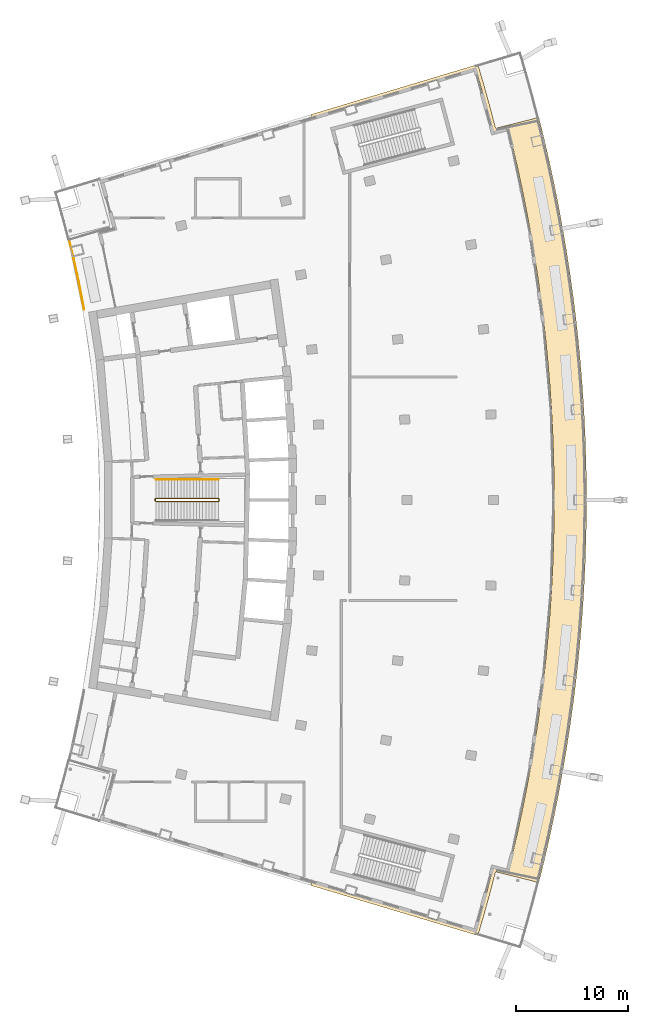
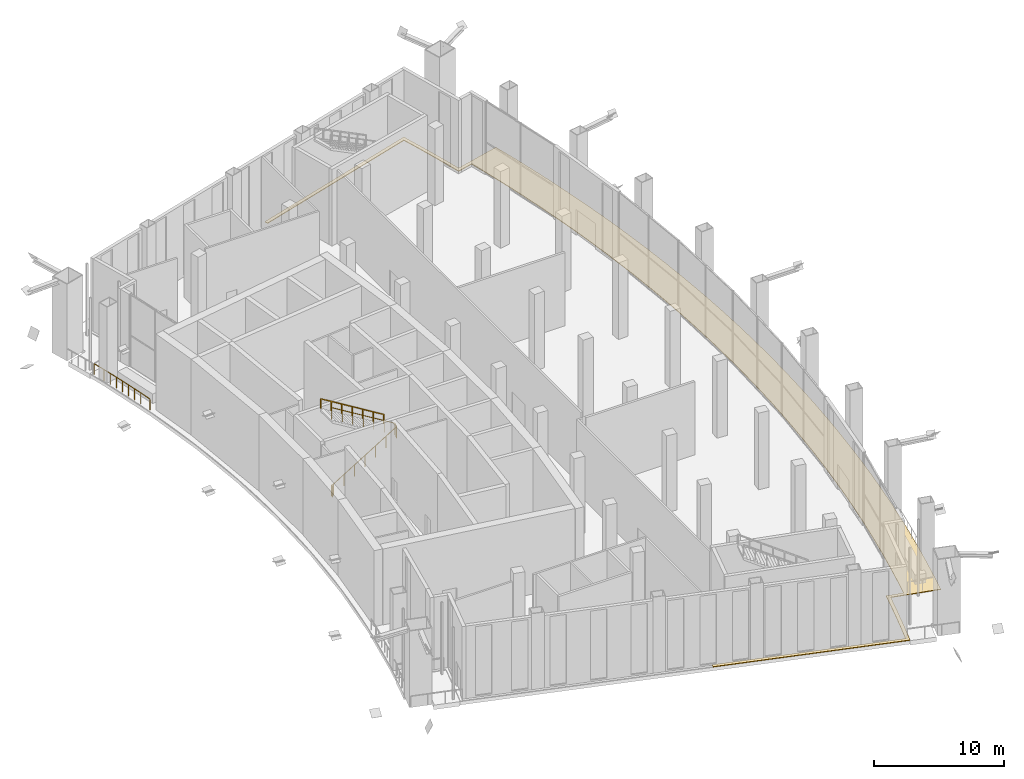
# One storey, part 23 of 26: 3 railings, 1 covering.
"""IFC4 building model written with IfcOpenShell, lengths in metres."""

import ifcopenshell
import ifcopenshell.guid

model = None  # the IFC model being written
_history = None  # IfcOwnerHistory: only IFC2X3 demands one
_inside = {}  # id of a spatial element -> (the spatial element, [elements in it])
_under = {}  # id of a project, library or spatial element -> (it, [spatial elements below it])
_declared = {}  # id of a project -> (the project, [libraries it declares])
_typed = {}  # id of a type object -> (the type object, [elements of that type])
_made_of = {}  # id of a material, layer set ... -> (it, [elements and type objects made of it])


def new_model(schema):
    """Start an empty IFC model of exactly this schema.

    Asked for "IFC4X3", IfcOpenShell would pick the latest addendum, in which some entities
    have other attributes; the version numbers below select the first issue.
    IFC2X3 requires an IfcOwnerHistory on every rooted entity: one is made here for all.
    """
    global model, _history
    if schema == "IFC4X3":
        model = ifcopenshell.file(schema_version=(4, 3, 0, 0))
    else:
        model = ifcopenshell.file(schema=schema)
    _inside.clear()
    _under.clear()
    _declared.clear()
    _typed.clear()
    _made_of.clear()
    _history = None
    if model.schema == "IFC2X3":
        org = make("IfcOrganization", Name="unknown")
        user = make(
            "IfcPersonAndOrganization",
            ThePerson=make("IfcPerson", FamilyName="unknown"),
            TheOrganization=org,
        )
        app = make(
            "IfcApplication",
            ApplicationDeveloper=org,
            Version="unknown",
            ApplicationFullName="unknown",
            ApplicationIdentifier="unknown",
        )
        _history = make(
            "IfcOwnerHistory",
            OwningUser=user,
            OwningApplication=app,
            ChangeAction="ADDED",
            CreationDate=0,
        )
    return model


def make(cls, **values):
    """One entity of the class cls with the attributes given. An attribute that is None is left unset."""
    return model.create_entity(
        cls, **{name: value for name, value in values.items() if value is not None}
    )


def rooted(cls, **values):
    """An entity with a GlobalId (a new one), such as an element, a storey or a relation."""
    return make(cls, GlobalId=ifcopenshell.guid.new(), OwnerHistory=_history, **values)


def si_unit(unit_type, name, prefix=None):
    """IfcSIUnit, for example si_unit("LENGTHUNIT", "METRE", prefix="MILLI")."""
    return make("IfcSIUnit", UnitType=unit_type, Prefix=prefix, Name=name)


def assignment(units):
    """IfcUnitAssignment: the units of a project."""
    return None if units is None else make("IfcUnitAssignment", Units=units)


def point(xyz):
    """IfcCartesianPoint."""
    return None if xyz is None else make("IfcCartesianPoint", Coordinates=xyz)


def direction(xyz):
    """IfcDirection."""
    return None if xyz is None else make("IfcDirection", DirectionRatios=xyz)


def frame(location, z_axis=None, x_axis=None):
    """IfcAxis2Placement3D, a coordinate frame: its origin and axes. An axis left out is left unset."""
    return make(
        "IfcAxis2Placement3D",
        Location=point(location),
        Axis=direction(z_axis),
        RefDirection=direction(x_axis),
    )


def frame_2d(location, x_axis=None):
    """IfcAxis2Placement2D, a coordinate frame in the plane: its origin and x axis."""
    return make(
        "IfcAxis2Placement2D", Location=point(location), RefDirection=direction(x_axis)
    )


def origin():
    """The frame at (0, 0, 0) with its axes left unset."""
    return frame((0.0, 0.0, 0.0))


def origin_2d():
    """The frame at (0, 0) in the plane with its x axis left unset."""
    return frame_2d((0.0, 0.0))


def place(relative_to, where):
    """IfcLocalPlacement: puts the frame where relative to a parent placement (None: the world)."""
    return make(
        "IfcLocalPlacement", PlacementRelTo=relative_to, RelativePlacement=where
    )


def context(
    kind, dimensions, precision=None, world=None, true_north=None, identifier=None
):
    """IfcGeometricRepresentationContext, for example the 3D "Model" context."""
    return make(
        "IfcGeometricRepresentationContext",
        ContextIdentifier=identifier,
        ContextType=kind,
        CoordinateSpaceDimension=dimensions,
        Precision=precision,
        WorldCoordinateSystem=world,
        TrueNorth=true_north,
    )


def subcontext(parent, identifier, kind, view, scale=None):
    """IfcGeometricRepresentationSubContext, for example "Body" below "Model"."""
    return make(
        "IfcGeometricRepresentationSubContext",
        ContextIdentifier=identifier,
        ContextType=kind,
        ParentContext=parent,
        TargetScale=scale,
        TargetView=view,
    )


def project(units=None, contexts=None):
    """IfcProject with its units and contexts."""
    return rooted(
        "IfcProject",
        Name="project",
        RepresentationContexts=contexts,
        UnitsInContext=assignment(units),
    )


def spatial(cls, under=None, at=None, **own):
    """A site, building, storey or space (cls), placed at a placement, below another one or the project."""
    s = rooted(cls, ObjectPlacement=at, **own)
    if under is not None:
        _under.setdefault(under.id(), (under, []))[1].append(s)
    return s


def polyline(points):
    """IfcPolyline through the points."""
    return make("IfcPolyline", Points=[point(p) for p in points])


def profile(cls, at=None, kind="AREA", **sizes):
    """A parametric profile (cls). Its sizes go by their IFC names, for example OverallWidth=200.0."""
    return make(cls, ProfileType=kind, Position=at, **sizes)


def rectangle(**sizes):
    """IfcRectangleProfileDef."""
    return profile("IfcRectangleProfileDef", **sizes)


def outline(outer, holes=None, kind="AREA"):
    """IfcArbitraryClosedProfileDef: a profile drawn as a closed curve; with holes, ...WithVoids."""
    if holes is None:
        return make("IfcArbitraryClosedProfileDef", ProfileType=kind, OuterCurve=outer)
    return make(
        "IfcArbitraryProfileDefWithVoids",
        ProfileType=kind,
        OuterCurve=outer,
        InnerCurves=holes,
    )


def extrude(swept, where, along, depth):
    """IfcExtrudedAreaSolid: the profile swept, set in the frame where, extruded along a direction by depth."""
    return make(
        "IfcExtrudedAreaSolid",
        SweptArea=swept,
        Position=where,
        ExtrudedDirection=direction(along),
        Depth=depth,
    )


def shape(context_of_items, identifier, shape_type, items):
    """IfcShapeRepresentation: the items that make up one representation, for example the "Body"."""
    return make(
        "IfcShapeRepresentation",
        ContextOfItems=context_of_items,
        RepresentationIdentifier=identifier,
        RepresentationType=shape_type,
        Items=items,
    )


def material(Name=None, Category=None):
    """IfcMaterial."""
    return make("IfcMaterial", Name=Name, Category=Category)


def layer(
    of_material, thickness, ventilated=None, Name=None, Category=None, Priority=None
):
    """IfcMaterialLayer: one layer of a wall or slab, of a material (None: an air gap)."""
    return make(
        "IfcMaterialLayer",
        Material=of_material,
        LayerThickness=thickness,
        IsVentilated=ventilated,
        Name=Name,
        Category=Category,
        Priority=Priority,
    )


def layer_set(layers, Name=None):
    """IfcMaterialLayerSet."""
    return make("IfcMaterialLayerSet", MaterialLayers=layers, LayerSetName=Name)


def made_of(thing, what):
    """Note that an element or type object is made of a material, layer set ...; save() writes the relation."""
    if what is not None:
        _made_of.setdefault(what.id(), (what, []))[1].append(thing)
    return thing


def type_object(cls, material=None, **own):
    """A type object (cls), such as IfcWallType, which elements share."""
    return made_of(rooted(cls, **own), material)


def element(
    cls,
    number,
    at=None,
    inside=None,
    cuts=None,
    type_object=None,
    material=None,
    context=None,
    identifier="Body",
    shape_type=None,
    held_by="IfcProductDefinitionShape",
    body=None,
    shapes=None,
    **own,
):
    """One element of the class cls, such as IfcWall. Its Tag is "e" and its number.

    at: its placement. inside: the storey or other place that contains it. cuts: it is an
    opening in that element (IfcRelVoidsElement). A single representation is given by context,
    identifier, shape_type and body (its items); several are given by shapes. held_by: the class
    of the entity that holds the representations. save() writes the other relations.
    """
    e = rooted(cls, Tag="e%d" % number, ObjectPlacement=at, **own)
    if body is not None:
        shapes = [shape(context, identifier, shape_type, body)]
    if shapes is not None:
        e.Representation = make(held_by, Representations=shapes)
    if inside is not None:
        _inside.setdefault(inside.id(), (inside, []))[1].append(e)
    if cuts is not None:
        rooted(
            "IfcRelVoidsElement", RelatingBuildingElement=cuts, RelatedOpeningElement=e
        )
    if type_object is not None:
        _typed.setdefault(type_object.id(), (type_object, []))[1].append(e)
    return made_of(e, material)


def aggregate(whole, parts):
    """IfcRelAggregates: a whole, such as a stair, and the parts it consists of."""
    return rooted("IfcRelAggregates", RelatingObject=whole, RelatedObjects=parts)


def save(model, path):
    """Write the relations noted so far, then the file.

    IfcRelAggregates (storeys below a building ...), IfcRelContainedInSpatialStructure (elements
    in a storey), IfcRelDefinesByType, IfcRelAssociatesMaterial and IfcRelDeclares: one each for
    every whole, place, type object, material and project.
    """
    for whole, parts in _under.values():
        aggregate(whole, parts)
    for where, things in _inside.values():
        rooted(
            "IfcRelContainedInSpatialStructure",
            RelatedElements=things,
            RelatingStructure=where,
        )
    for kind, things in _typed.values():
        rooted("IfcRelDefinesByType", RelatedObjects=things, RelatingType=kind)
    for what, things in _made_of.values():
        rooted("IfcRelAssociatesMaterial", RelatedObjects=things, RelatingMaterial=what)
    for by, libraries in _declared.values():
        rooted("IfcRelDeclares", RelatingContext=by, RelatedDefinitions=libraries)
    model.write(path)


model = new_model("IFC4")

# Units and contexts
model_context = context("Model", 3, precision=1e-05, world=origin(), true_north=direction((0.0, 1.0)))
body_context = subcontext(model_context, "Body", "Model", "MODEL_VIEW")
ifc_project = project(units=[si_unit("LENGTHUNIT", "METRE"), si_unit("AREAUNIT", "SQUARE_METRE"), si_unit("VOLUMEUNIT", "CUBIC_METRE"), si_unit("PLANEANGLEUNIT", "RADIAN"), si_unit("MASSUNIT", "GRAM", prefix="KILO")], contexts=[model_context])

# Site, building, storey
site_placement = place(None, origin())
site = spatial("IfcSite", under=ifc_project, at=site_placement, CompositionType="ELEMENT")
building_placement = place(site_placement, origin())
building = spatial("IfcBuilding", under=site, at=building_placement, Name="Alderwake Tower", CompositionType="ELEMENT")
storey_placement = place(building_placement, frame((0.0, 0.0, 182.0)))
storey = spatial("IfcBuildingStorey", under=building, at=storey_placement, Name="L45", CompositionType="ELEMENT", Elevation=182.0)

# Railing
ifc_material_1 = material(Name="Stainless steel 316 rail and posts", Category="steel")
railing_type_1 = type_object("IfcRailingType", Name="Balcony guard 1100", PredefinedType="GUARDRAIL", material=ifc_material_1)
railing_1_placement = place(storey_placement, frame((14.62890625, 78.035888671875, 0.0)))
element("IfcRailing", 1, at=railing_1_placement, inside=storey, type_object=railing_type_1, Name="Guard garden terrace rear", PredefinedType="GUARDRAIL", context=body_context, shape_type="SweptSolid", body=[
    extrude(rectangle(XDim=0.048095703125, YDim=0.048095703125, at=origin_2d()), frame((0.0, 0.0, 1.076171875), z_axis=(-0.182977626426, 0.983117077579, 0.0), x_axis=(-0.983117077579, -0.182977626426, 0.0)), (0.0, 0.0, 1.0), 1.10205078125),
    extrude(rectangle(XDim=0.048095703125, YDim=0.048095703125, at=origin_2d()), frame((-0.20166015625, 1.08349609375, 1.076171875), z_axis=(-0.1955468343, 0.980694364007, 0.0), x_axis=(-0.980694364007, -0.1955468343, 0.0)), (0.0, 0.0, 1.0), 1.402099609375),
    extrude(rectangle(XDim=0.048095703125, YDim=0.048095703125, at=origin_2d()), frame((-0.475830078125, 2.45849609375, 1.076171875), z_axis=(-0.209957084556, 0.977710602707, 0.0), x_axis=(-0.977710602707, -0.209957084556, 0.0)), (0.0, 0.0, 1.0), 1.40234375),
    extrude(rectangle(XDim=0.048095703125, YDim=0.048095703125, at=origin_2d()), frame((-0.770263671875, 3.82958984375, 1.076171875), z_axis=(-0.224096426432, 0.974566976488, 0.0), x_axis=(-0.974566976488, -0.224096426432, 0.0)), (0.0, 0.0, 1.0), 1.402099609375),
    extrude(rectangle(XDim=0.048095703125, YDim=0.048095703125, at=origin_2d()), frame((-1.08447265625, 5.196044921875, 1.076171875), z_axis=(-0.23679809516, 0.971558882481, 0.0), x_axis=(-0.971558882481, -0.23679809516, 0.0)), (0.0, 0.0, 1.0), 1.10205078125),
    extrude(rectangle(XDim=0.0419921875, YDim=0.0419921875, at=origin_2d()), frame((0.0, 0.0, 0.0), z_axis=(0.0, 0.0, 1.0), x_axis=(-0.182977626426, 0.983117077579, 0.0)), (0.0, 0.0, 1.0), 1.052001953125),
    extrude(rectangle(XDim=0.0419921875, YDim=0.0419921875, at=origin_2d()), frame((-0.20166015625, 1.08349609375, 0.0), z_axis=(0.0, 0.0, 1.0), x_axis=(-0.1955468343, 0.980694364007, 0.0)), (0.0, 0.0, 1.0), 1.052001953125),
    extrude(rectangle(XDim=0.0419921875, YDim=0.0419921875, at=origin_2d()), frame((-0.3388671875, 1.77099609375, 0.0), z_axis=(0.0, 0.0, 1.0), x_axis=(-0.1955468343, 0.980694364007, 0.0)), (0.0, 0.0, 1.0), 1.052001953125),
    extrude(rectangle(XDim=0.0419921875, YDim=0.0419921875, at=origin_2d()), frame((-0.475830078125, 2.45849609375, 0.0), z_axis=(0.0, 0.0, 1.0), x_axis=(-0.209957084556, 0.977710602707, 0.0)), (0.0, 0.0, 1.0), 1.052001953125),
    extrude(rectangle(XDim=0.0419921875, YDim=0.0419921875, at=origin_2d()), frame((-0.623046875, 3.14404296875, 0.0), z_axis=(0.0, 0.0, 1.0), x_axis=(-0.209957084556, 0.977710602707, 0.0)), (0.0, 0.0, 1.0), 1.052001953125),
    extrude(rectangle(XDim=0.0419921875, YDim=0.0419921875, at=origin_2d()), frame((-0.770263671875, 3.82958984375, 0.0), z_axis=(0.0, 0.0, 1.0), x_axis=(-0.224096426432, 0.974566976488, 0.0)), (0.0, 0.0, 1.0), 1.052001953125),
    extrude(rectangle(XDim=0.0419921875, YDim=0.0419921875, at=origin_2d()), frame((-0.92724609375, 4.5126953125, 0.0), z_axis=(0.0, 0.0, 1.0), x_axis=(-0.224096426432, 0.974566976488, 0.0)), (0.0, 0.0, 1.0), 1.052001953125),
    extrude(rectangle(XDim=0.0419921875, YDim=0.0419921875, at=origin_2d()), frame((-1.08447265625, 5.196044921875, 0.0), z_axis=(0.0, 0.0, 1.0), x_axis=(-0.23679809516, 0.971558882481, 0.0)), (0.0, 0.0, 1.0), 1.052001953125),
    extrude(rectangle(XDim=0.0419921875, YDim=0.0419921875, at=origin_2d()), frame((-1.345458984375, 6.266845703125, 0.0), z_axis=(0.0, 0.0, 1.0), x_axis=(-0.23679809516, 0.971558882481, 0.0)), (0.0, 0.0, 1.0), 1.052001953125),
])

# Covering
ifc_material_2 = material(Name="Bronze-grey porcelain paving on pedestals")
ifc_layer = layer(ifc_material_2, 0.06005859375)
ifc_layer_set = layer_set([ifc_layer], Name="Garden terrace paving 60")
covering_type = type_object("IfcCoveringType", Name="Garden terrace paving 60", PredefinedType="FLOORING", material=ifc_layer_set)
covering_placement = place(storey_placement, origin())
element("IfcCovering", 2, at=covering_placement, inside=storey, type_object=covering_type, Name="Garden terrace paving front", PredefinedType="FLOORING", context=body_context, shape_type="SweptSolid", body=[
    extrude(outline(polyline([(49.873046875, 99.99169921875), (34.931884765625, 95.505859375), (35.01611328125, 95.218017578125), (49.669921875, 99.617431640625), (50.139404296875, 98.011474609375), (50.665283203125, 96.10986328125), (51.239013671875, 93.910400390625), (52.592041015625, 94.252685546875), (52.99560546875, 92.60791015625), (53.4423828125, 90.665283203125), (53.86083984375, 88.716064453125), (54.250732421875, 86.760986328125), (54.612060546875, 84.800537109375), (54.94482421875, 82.8349609375), (55.2490234375, 80.86474609375), (55.5244140625, 78.890380859375), (55.770751953125, 76.912109375), (55.98828125, 74.9306640625), (56.177001953125, 72.946044921875), (56.3369140625, 70.958984375), (56.467529296875, 68.969482421875), (56.569091796875, 66.978759765625), (56.641845703125, 64.986572265625), (56.685546875, 62.993408203125), (56.699951171875, 61.0), (56.685546875, 59.006591796875), (56.641845703125, 57.013427734375), (56.569091796875, 55.021240234375), (56.467529296875, 53.030517578125), (56.3369140625, 51.041015625), (56.177001953125, 49.053955078125), (55.98828125, 47.0693359375), (55.770751953125, 45.087890625), (55.5244140625, 43.109619140625), (55.2490234375, 41.13525390625), (54.94482421875, 39.1650390625), (54.612060546875, 37.199462890625), (54.250732421875, 35.239013671875), (53.86083984375, 33.283935546875), (53.4423828125, 31.334716796875), (52.99560546875, 29.39208984375), (52.592041015625, 27.747314453125), (51.239013671875, 28.089599609375), (50.665283203125, 25.89013671875), (50.139404296875, 23.988525390625), (49.669921875, 22.382568359375), (35.01611328125, 26.781982421875), (34.931884765625, 26.494140625), (49.873046875, 22.00830078125), (50.427978515625, 23.906494140625), (50.954833984375, 25.8125), (51.4541015625, 27.725830078125), (55.331787109375, 26.744384765625), (55.81689453125, 28.721435546875), (56.273193359375, 30.70556640625), (56.700439453125, 32.69580078125), (57.098876953125, 34.6923828125), (57.4677734375, 36.694580078125), (57.8076171875, 38.701904296875), (58.1181640625, 40.7138671875), (58.3994140625, 42.72998046875), (58.65087890625, 44.750244140625), (58.873291015625, 46.77392578125), (59.06591796875, 48.800537109375), (59.22900390625, 50.829833984375), (59.362548828125, 52.861328125), (59.46630859375, 54.894287109375), (59.54052734375, 56.928955078125), (59.585205078125, 58.964111328125), (59.60009765625, 61.0), (59.585205078125, 63.035888671875), (59.54052734375, 65.071044921875), (59.46630859375, 67.105712890625), (59.362548828125, 69.138671875), (59.22900390625, 71.170166015625), (59.06591796875, 73.199462890625), (58.873291015625, 75.22607421875), (58.65087890625, 77.249755859375), (58.3994140625, 79.27001953125), (58.1181640625, 81.2861328125), (57.8076171875, 83.298095703125), (57.4677734375, 85.305419921875), (57.098876953125, 87.3076171875), (56.700439453125, 89.30419921875), (56.273193359375, 91.29443359375), (55.81689453125, 93.278564453125), (55.331787109375, 95.255615234375), (51.4541015625, 94.274169921875), (50.954833984375, 96.1875), (50.427978515625, 98.093505859375), (49.873046875, 99.99169921875)])), origin(), (0.0, 0.0, 1.0), 0.06005859375),
])

# Railings
ifc_material_3 = material(Name="Stainless steel guard", Category="steel")
railing_type_2 = type_object("IfcRailingType", Name="Stair guard 1100", PredefinedType="GUARDRAIL", material=ifc_material_3)
railing_2_placement = place(storey_placement, frame((20.989990234375, 60.925048828125, 0.0)))
element("IfcRailing", 3, at=railing_2_placement, inside=storey, type_object=railing_type_2, Name="L45 ST-B stair guard 1", PredefinedType="GUARDRAIL", context=body_context, shape_type="SweptSolid", body=[
    extrude(rectangle(XDim=0.048095703125, YDim=0.048095703125, at=origin_2d()), frame((0.0, 0.0, 1.076171875), z_axis=(0.0, 1.0, 0.0), x_axis=(-1.0, 0.0, 0.0)), (0.0, 0.0, 1.0), 0.14990234375),
    extrude(rectangle(XDim=0.048095703125, YDim=0.048095703125, at=origin_2d()), frame((0.0, 0.14990234375, 1.076171875), z_axis=(0.186704180588, -0.74590597025, 0.6393479745), x_axis=(0.970072785993, 0.242814311512, 0.0)), (0.0, 0.0, 1.0), 0.26806640625),
    extrude(rectangle(XDim=0.048095703125, YDim=0.048095703125, at=origin_2d()), frame((0.050048828125, -0.050048828125, 1.24755859375), z_axis=(0.852835759714, 0.0, 0.522179247915), x_axis=(0.0, 1.0, 0.0)), (0.0, 0.0, 1.0), 6.566162109375),
    extrude(rectangle(XDim=0.048095703125, YDim=0.048095703125, at=origin_2d()), frame((5.64990234375, -0.050048828125, 4.67626953125), z_axis=(0.707106781187, 0.707106781187, 0.0), x_axis=(-0.707106781187, 0.707106781187, 0.0)), (0.0, 0.0, 1.0), 0.07080078125),
    extrude(rectangle(XDim=0.048095703125, YDim=0.048095703125, at=origin_2d()), frame((5.699951171875, 0.0, 4.67626953125), z_axis=(0.0, 1.0, 0.0), x_axis=(-1.0, 0.0, 0.0)), (0.0, 0.0, 1.0), 0.14990234375),
    extrude(rectangle(XDim=0.048095703125, YDim=0.048095703125, at=origin_2d()), frame((5.699951171875, 0.14990234375, 4.67626953125), z_axis=(-0.269911200495, 0.269911200495, 0.924281281696), x_axis=(-0.707106781187, -0.707106781187, 0.0)), (0.0, 0.0, 1.0), 0.185546875),
    extrude(rectangle(XDim=0.048095703125, YDim=0.048095703125, at=origin_2d()), frame((5.64990234375, 0.199951171875, 4.84765625), z_axis=(-0.852852317832, 0.0, 0.522152203833), x_axis=(0.0, -1.0, 0.0)), (0.0, 0.0, 1.0), 6.56591796875),
    extrude(rectangle(XDim=0.0419921875, YDim=0.0419921875, at=origin_2d()), frame((0.0, 0.0, 0.0), z_axis=(0.0, 0.0, 1.0), x_axis=(0.0, 1.0, 0.0)), (0.0, 0.0, 1.0), 1.052001953125),
    extrude(rectangle(XDim=0.0419921875, YDim=0.0419921875, at=origin_2d()), frame((0.0, 0.14990234375, 0.0), z_axis=(0.0, 0.0, 1.0), x_axis=(0.242814311512, -0.970072785993, 0.0)), (0.0, 0.0, 1.0), 1.052001953125),
    extrude(rectangle(XDim=0.0419921875, YDim=0.0419921875, at=origin_2d()), frame((0.050048828125, -0.050048828125, 0.17138671875), z_axis=(0.0, 0.0, 1.0), x_axis=(1.0, 0.0, 0.0)), (0.0, 0.0, 1.0), 1.052001953125),
    extrude(rectangle(XDim=0.0419921875, YDim=0.0419921875, at=origin_2d()), frame((0.9833984375, -0.050048828125, 0.742919921875), z_axis=(0.0, 0.0, 1.0), x_axis=(1.0, 0.0, 0.0)), (0.0, 0.0, 1.0), 1.052001953125),
    extrude(rectangle(XDim=0.0419921875, YDim=0.0419921875, at=origin_2d()), frame((1.916748046875, -0.050048828125, 1.314208984375), z_axis=(0.0, 0.0, 1.0), x_axis=(1.0, 0.0, 0.0)), (0.0, 0.0, 1.0), 1.052001953125),
    extrude(rectangle(XDim=0.0419921875, YDim=0.0419921875, at=origin_2d()), frame((2.85009765625, -0.050048828125, 1.8857421875), z_axis=(0.0, 0.0, 1.0), x_axis=(1.0, 0.0, 0.0)), (0.0, 0.0, 1.0), 1.052001953125),
    extrude(rectangle(XDim=0.0419921875, YDim=0.0419921875, at=origin_2d()), frame((3.783203125, -0.050048828125, 2.457275390625), z_axis=(0.0, 0.0, 1.0), x_axis=(1.0, 0.0, 0.0)), (0.0, 0.0, 1.0), 1.052001953125),
    extrude(rectangle(XDim=0.0419921875, YDim=0.0419921875, at=origin_2d()), frame((4.716552734375, -0.050048828125, 3.028564453125), z_axis=(0.0, 0.0, 1.0), x_axis=(1.0, 0.0, 0.0)), (0.0, 0.0, 1.0), 1.052001953125),
    extrude(rectangle(XDim=0.0419921875, YDim=0.0419921875, at=origin_2d()), frame((5.64990234375, -0.050048828125, 3.60009765625), z_axis=(0.0, 0.0, 1.0), x_axis=(0.707106781187, 0.707106781187, 0.0)), (0.0, 0.0, 1.0), 1.052001953125),
    extrude(rectangle(XDim=0.0419921875, YDim=0.0419921875, at=origin_2d()), frame((5.699951171875, 0.0, 3.60009765625), z_axis=(0.0, 0.0, 1.0), x_axis=(0.0, 1.0, 0.0)), (0.0, 0.0, 1.0), 1.052001953125),
    extrude(rectangle(XDim=0.0419921875, YDim=0.0419921875, at=origin_2d()), frame((5.699951171875, 0.14990234375, 3.60009765625), z_axis=(0.0, 0.0, 1.0), x_axis=(-0.707106781187, 0.707106781187, 0.0)), (0.0, 0.0, 1.0), 1.052001953125),
    extrude(rectangle(XDim=0.0419921875, YDim=0.0419921875, at=origin_2d()), frame((5.64990234375, 0.199951171875, 3.771484375), z_axis=(0.0, 0.0, 1.0), x_axis=(-1.0, 0.0, 0.0)), (0.0, 0.0, 1.0), 1.052001953125),
    extrude(rectangle(XDim=0.0419921875, YDim=0.0419921875, at=origin_2d()), frame((4.716552734375, 0.199951171875, 4.3427734375), z_axis=(0.0, 0.0, 1.0), x_axis=(-1.0, 0.0, 0.0)), (0.0, 0.0, 1.0), 1.052001953125),
    extrude(rectangle(XDim=0.0419921875, YDim=0.0419921875, at=origin_2d()), frame((3.783203125, 0.199951171875, 4.914306640625), z_axis=(0.0, 0.0, 1.0), x_axis=(-1.0, 0.0, 0.0)), (0.0, 0.0, 1.0), 1.052001953125),
    extrude(rectangle(XDim=0.0419921875, YDim=0.0419921875, at=origin_2d()), frame((2.85009765625, 0.199951171875, 5.48583984375), z_axis=(0.0, 0.0, 1.0), x_axis=(-1.0, 0.0, 0.0)), (0.0, 0.0, 1.0), 1.052001953125),
    extrude(rectangle(XDim=0.0419921875, YDim=0.0419921875, at=origin_2d()), frame((1.916748046875, 0.199951171875, 6.05712890625), z_axis=(0.0, 0.0, 1.0), x_axis=(-1.0, 0.0, 0.0)), (0.0, 0.0, 1.0), 1.052001953125),
    extrude(rectangle(XDim=0.0419921875, YDim=0.0419921875, at=origin_2d()), frame((0.9833984375, 0.199951171875, 6.62841796875), z_axis=(0.0, 0.0, 1.0), x_axis=(-1.0, 0.0, 0.0)), (0.0, 0.0, 1.0), 1.052001953125),
    extrude(rectangle(XDim=0.0419921875, YDim=0.0419921875, at=origin_2d()), frame((0.050048828125, 0.199951171875, 7.199951171875), z_axis=(0.0, 0.0, 1.0), x_axis=(-1.0, 0.0, 0.0)), (0.0, 0.0, 1.0), 1.052001953125),
])
ifc_material_4 = material(Name="Stainless steel handrail", Category="steel")
railing_type_3 = type_object("IfcRailingType", Name="Stair handrail 900", PredefinedType="HANDRAIL", material=ifc_material_4)
railing_3_placement = place(storey_placement, frame((26.639892578125, 62.824951171875, 3.771484375)))
element("IfcRailing", 4, at=railing_3_placement, inside=storey, type_object=railing_type_3, Name="L45 ST-B stair handrail 2", PredefinedType="HANDRAIL", context=body_context, shape_type="SweptSolid", body=[
    extrude(rectangle(XDim=0.048095703125, YDim=0.048095703125, at=origin_2d()), frame((0.0, 0.0, 0.8759765625), z_axis=(-0.852852317832, 0.0, 0.522152203833), x_axis=(0.0, -1.0, 0.0)), (0.0, 0.0, 1.0), 6.56591796875),
    extrude(rectangle(XDim=0.0419921875, YDim=0.0419921875, at=origin_2d()), frame((0.0, 0.0, 0.0), z_axis=(0.0, 0.0, 1.0), x_axis=(-1.0, 0.0, 0.0)), (0.0, 0.0, 1.0), 0.851806640625),
    extrude(rectangle(XDim=0.0419921875, YDim=0.0419921875, at=origin_2d()), frame((-0.933349609375, 0.0, 0.5712890625), z_axis=(0.0, 0.0, 1.0), x_axis=(-1.0, 0.0, 0.0)), (0.0, 0.0, 1.0), 0.851806640625),
    extrude(rectangle(XDim=0.0419921875, YDim=0.0419921875, at=origin_2d()), frame((-1.86669921875, 0.0, 1.142822265625), z_axis=(0.0, 0.0, 1.0), x_axis=(-1.0, 0.0, 0.0)), (0.0, 0.0, 1.0), 0.851806640625),
    extrude(rectangle(XDim=0.0419921875, YDim=0.0419921875, at=origin_2d()), frame((-2.7998046875, 0.0, 1.71435546875), z_axis=(0.0, 0.0, 1.0), x_axis=(-1.0, 0.0, 0.0)), (0.0, 0.0, 1.0), 0.851806640625),
    extrude(rectangle(XDim=0.0419921875, YDim=0.0419921875, at=origin_2d()), frame((-3.733154296875, 0.0, 2.28564453125), z_axis=(0.0, 0.0, 1.0), x_axis=(-1.0, 0.0, 0.0)), (0.0, 0.0, 1.0), 0.851806640625),
    extrude(rectangle(XDim=0.0419921875, YDim=0.0419921875, at=origin_2d()), frame((-4.66650390625, 0.0, 2.85693359375), z_axis=(0.0, 0.0, 1.0), x_axis=(-1.0, 0.0, 0.0)), (0.0, 0.0, 1.0), 0.851806640625),
    extrude(rectangle(XDim=0.0419921875, YDim=0.0419921875, at=origin_2d()), frame((-5.599853515625, 0.0, 3.428466796875), z_axis=(0.0, 0.0, 1.0), x_axis=(-1.0, 0.0, 0.0)), (0.0, 0.0, 1.0), 0.851806640625),
])

save(model, "model.ifc")
